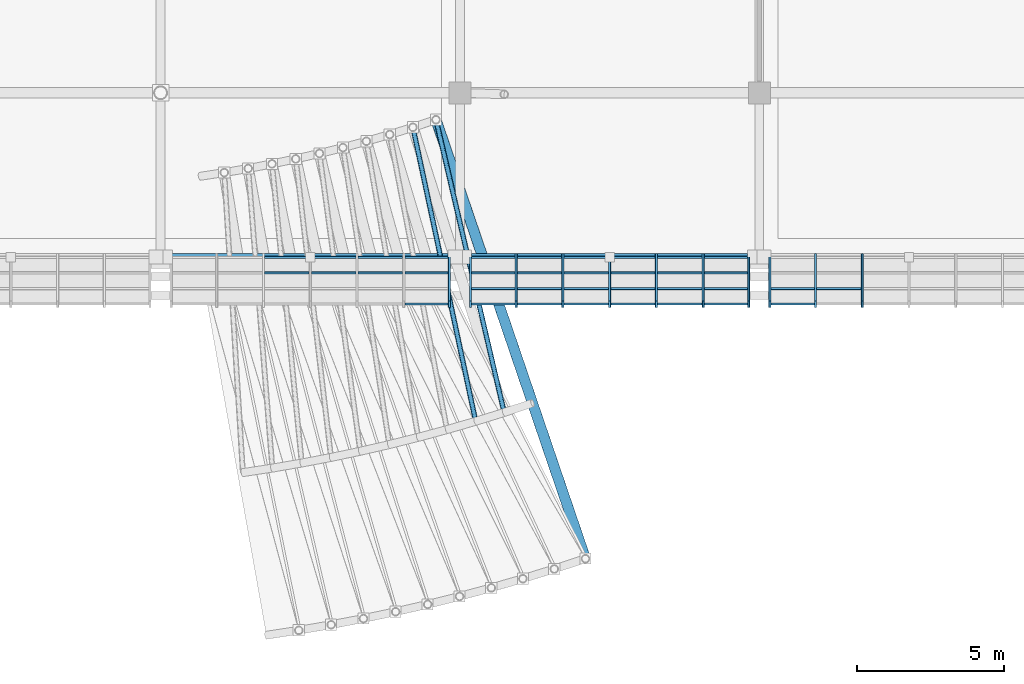
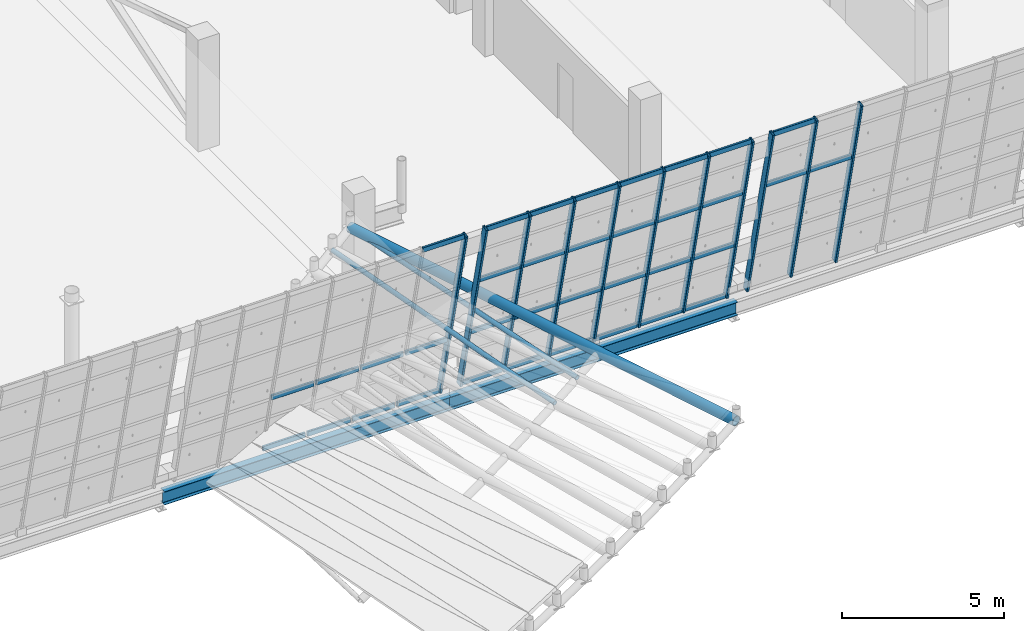
# One storey, part 50 of 157: 50 members, 2 beams, 3 elements without a shape of their own.
"""IFC4 building model written with IfcOpenShell, lengths in metres."""

from ifc_helpers import new_model, si_unit, direction, frame, origin, origin_2d, place, context, subcontext, project, spatial, hollow_rectangle, hollow_circle, i_section, extrude, material, material_profile, profile_set, type_object, element, aggregate, save


model = new_model("IFC4")

# Units and contexts
model_context = context("Model", 3, precision=1e-05, world=origin(), true_north=direction((0.0, 1.0)))
body_context = subcontext(model_context, "Body", "Model", "MODEL_VIEW")
ifc_project = project(units=[si_unit("LENGTHUNIT", "METRE"), si_unit("AREAUNIT", "SQUARE_METRE"), si_unit("VOLUMEUNIT", "CUBIC_METRE"), si_unit("PLANEANGLEUNIT", "RADIAN"), si_unit("MASSUNIT", "GRAM", prefix="KILO")], contexts=[model_context])

# Site, building, storey
site_placement = place(None, origin())
site = spatial("IfcSite", under=ifc_project, at=site_placement, CompositionType="ELEMENT")
building_placement = place(site_placement, origin())
building = spatial("IfcBuilding", under=site, at=building_placement, Name="Brelvane Convention Centre", CompositionType="ELEMENT")
storey_placement = place(building_placement, frame((0.0, 0.0, 10.800048828125)))
storey = spatial("IfcBuildingStorey", under=building, at=storey_placement, Name="L02", CompositionType="ELEMENT", Elevation=10.800048828125)

# Curtain wall, member
ifc_material_1 = material(Name="Anodised Aluminium Alloy 6063-T6", Category="aluminium")
curtain_wall_type = type_object("IfcCurtainWallType", Name="Curtain Wall CW-HULL-S", PredefinedType="USERDEFINED", material=ifc_material_1)
curtain_wall_1_placement = place(storey_placement, origin())
curtain_wall_1 = element("IfcCurtainWall", 1, at=curtain_wall_1_placement, inside=storey, type_object=curtain_wall_type, Name="Curtain Wall CW-HULL-S L02-HULL-S-L02-16", ObjectType="UNITISED", PredefinedType="USERDEFINED")
ifc_material_2 = material(Name="Anodised Aluminium Alloy 6063-T6", Category="aluminium")
ifc_material_profile_1 = material_profile(ifc_material_2, hollow_rectangle(XDim=0.080078125, YDim=0.239990234375, WallThickness=0.006103515625, InnerFilletRadius=0.006103515625, OuterFilletRadius=0.011962890625, at=origin_2d()), Name="ALU-M 240x80x6.0")
ifc_profile_set_1 = profile_set([ifc_material_profile_1], Name="Anodised Aluminium Alloy 6063-T6")
member_type_1 = type_object("IfcMemberType", Name="Curtain Mullion CW-M1", PredefinedType="MULLION", material=ifc_profile_set_1)
member_1_placement = place(storey_placement, frame((162.840087890625, 13.60009765625, 0.0), z_axis=(0.0, -0.228360410362, 0.973576665178), x_axis=(1.0, 0.0, 0.0)))
member_1 = element("IfcMember", 2, at=member_1_placement, type_object=member_type_1, Name="CW-HULL-S mullion 7", PredefinedType="MULLION", context=body_context, shape_type="SweptSolid", body=[
    extrude(hollow_rectangle(XDim=0.080078125, YDim=0.239990234375, WallThickness=0.006103515625, InnerFilletRadius=0.006103515625, OuterFilletRadius=0.011962890625, at=origin_2d()), origin(), (0.0, 0.0, 1.0), 7.03564453125),
])

# Curtain wall, members
curtain_wall_2_placement = place(storey_placement, origin())
curtain_wall_2 = element("IfcCurtainWall", 3, at=curtain_wall_2_placement, inside=storey, type_object=curtain_wall_type, Name="Curtain Wall CW-HULL-S L02-HULL-S-L02-17", ObjectType="UNITISED", PredefinedType="USERDEFINED")
member_2_placement = place(storey_placement, frame((163.56005859375, 13.60009765625, 0.0), z_axis=(0.0, -0.228360410362, 0.973576665178), x_axis=(1.0, 0.0, 0.0)))
member_2 = element("IfcMember", 4, at=member_2_placement, type_object=member_type_1, Name="CW-HULL-S mullion 1", PredefinedType="MULLION", context=body_context, shape_type="SweptSolid", body=[
    extrude(hollow_rectangle(XDim=0.080078125, YDim=0.239990234375, WallThickness=0.006103515625, InnerFilletRadius=0.006103515625, OuterFilletRadius=0.011962890625, at=origin_2d()), origin(), (0.0, 0.0, 1.0), 7.03564453125),
])
member_3_placement = place(storey_placement, frame((165.11328125, 13.60009765625, 0.0), z_axis=(0.0, -0.228360410362, 0.973576665178), x_axis=(1.0, 0.0, 0.0)))
member_3 = element("IfcMember", 5, at=member_3_placement, type_object=member_type_1, Name="CW-HULL-S mullion 2", PredefinedType="MULLION", context=body_context, shape_type="SweptSolid", body=[
    extrude(hollow_rectangle(XDim=0.080078125, YDim=0.239990234375, WallThickness=0.006103515625, InnerFilletRadius=0.006103515625, OuterFilletRadius=0.011962890625, at=origin_2d()), origin(), (0.0, 0.0, 1.0), 7.03564453125),
])
member_4_placement = place(storey_placement, frame((166.706787109375, 13.60009765625, 0.0), z_axis=(0.0, -0.228360410362, 0.973576665178), x_axis=(1.0, 0.0, 0.0)))
member_4 = element("IfcMember", 6, at=member_4_placement, type_object=member_type_1, Name="CW-HULL-S mullion 3", PredefinedType="MULLION", context=body_context, shape_type="SweptSolid", body=[
    extrude(hollow_rectangle(XDim=0.080078125, YDim=0.239990234375, WallThickness=0.006103515625, InnerFilletRadius=0.006103515625, OuterFilletRadius=0.011962890625, at=origin_2d()), origin(), (0.0, 0.0, 1.0), 7.03564453125),
])
member_5_placement = place(storey_placement, frame((168.300048828125, 13.60009765625, 0.0), z_axis=(0.0, -0.228360410362, 0.973576665178), x_axis=(1.0, 0.0, 0.0)))
member_5 = element("IfcMember", 7, at=member_5_placement, type_object=member_type_1, Name="CW-HULL-S mullion 4", PredefinedType="MULLION", context=body_context, shape_type="SweptSolid", body=[
    extrude(hollow_rectangle(XDim=0.080078125, YDim=0.239990234375, WallThickness=0.006103515625, InnerFilletRadius=0.006103515625, OuterFilletRadius=0.011962890625, at=origin_2d()), origin(), (0.0, 0.0, 1.0), 7.03564453125),
])
member_6_placement = place(storey_placement, frame((169.893310546875, 13.60009765625, 0.0), z_axis=(0.0, -0.228360410362, 0.973576665178), x_axis=(1.0, 0.0, 0.0)))
member_6 = element("IfcMember", 8, at=member_6_placement, type_object=member_type_1, Name="CW-HULL-S mullion 5", PredefinedType="MULLION", context=body_context, shape_type="SweptSolid", body=[
    extrude(hollow_rectangle(XDim=0.080078125, YDim=0.239990234375, WallThickness=0.006103515625, InnerFilletRadius=0.006103515625, OuterFilletRadius=0.011962890625, at=origin_2d()), origin(), (0.0, 0.0, 1.0), 7.03564453125),
])
member_7_placement = place(storey_placement, frame((171.486572265625, 13.60009765625, 0.0), z_axis=(0.0, -0.228360410362, 0.973576665178), x_axis=(1.0, 0.0, 0.0)))
member_7 = element("IfcMember", 9, at=member_7_placement, type_object=member_type_1, Name="CW-HULL-S mullion 6", PredefinedType="MULLION", context=body_context, shape_type="SweptSolid", body=[
    extrude(hollow_rectangle(XDim=0.080078125, YDim=0.239990234375, WallThickness=0.006103515625, InnerFilletRadius=0.006103515625, OuterFilletRadius=0.011962890625, at=origin_2d()), origin(), (0.0, 0.0, 1.0), 7.03564453125),
])
member_8_placement = place(storey_placement, frame((173.0400390625, 13.60009765625, 0.0), z_axis=(0.0, -0.228360410362, 0.973576665178), x_axis=(1.0, 0.0, 0.0)))
member_8 = element("IfcMember", 10, at=member_8_placement, type_object=member_type_1, Name="CW-HULL-S mullion 7", PredefinedType="MULLION", context=body_context, shape_type="SweptSolid", body=[
    extrude(hollow_rectangle(XDim=0.080078125, YDim=0.239990234375, WallThickness=0.006103515625, InnerFilletRadius=0.006103515625, OuterFilletRadius=0.011962890625, at=origin_2d()), origin(), (0.0, 0.0, 1.0), 7.03564453125),
])

curtain_wall_3_placement = place(storey_placement, origin())
curtain_wall_3 = element("IfcCurtainWall", 11, at=curtain_wall_3_placement, inside=storey, type_object=curtain_wall_type, Name="Curtain Wall CW-HULL-S L02-HULL-S-L02-18", ObjectType="UNITISED", PredefinedType="USERDEFINED")
member_9_placement = place(storey_placement, frame((173.760009765625, 13.60009765625, 0.0), z_axis=(0.0, -0.228360410362, 0.973576665178), x_axis=(1.0, 0.0, 0.0)))
member_9 = element("IfcMember", 12, at=member_9_placement, type_object=member_type_1, Name="CW-HULL-S mullion 1", PredefinedType="MULLION", context=body_context, shape_type="SweptSolid", body=[
    extrude(hollow_rectangle(XDim=0.080078125, YDim=0.239990234375, WallThickness=0.006103515625, InnerFilletRadius=0.006103515625, OuterFilletRadius=0.011962890625, at=origin_2d()), origin(), (0.0, 0.0, 1.0), 7.03564453125),
])
member_10_placement = place(storey_placement, frame((175.313232421875, 13.60009765625, 0.0), z_axis=(0.0, -0.228360410362, 0.973576665178), x_axis=(1.0, 0.0, 0.0)))
member_10 = element("IfcMember", 13, at=member_10_placement, type_object=member_type_1, Name="CW-HULL-S mullion 2", PredefinedType="MULLION", context=body_context, shape_type="SweptSolid", body=[
    extrude(hollow_rectangle(XDim=0.080078125, YDim=0.239990234375, WallThickness=0.006103515625, InnerFilletRadius=0.006103515625, OuterFilletRadius=0.011962890625, at=origin_2d()), origin(), (0.0, 0.0, 1.0), 7.03564453125),
])
member_11_placement = place(storey_placement, frame((176.90673828125, 13.60009765625, 0.0), z_axis=(0.0, -0.228360410362, 0.973576665178), x_axis=(1.0, 0.0, 0.0)))
member_11 = element("IfcMember", 14, at=member_11_placement, type_object=member_type_1, Name="CW-HULL-S mullion 3", PredefinedType="MULLION", context=body_context, shape_type="SweptSolid", body=[
    extrude(hollow_rectangle(XDim=0.080078125, YDim=0.239990234375, WallThickness=0.006103515625, InnerFilletRadius=0.006103515625, OuterFilletRadius=0.011962890625, at=origin_2d()), origin(), (0.0, 0.0, 1.0), 7.03564453125),
])

# Member
ifc_material_3 = material(Name="Anodised Aluminium Alloy 6063-T6", Category="aluminium")
ifc_material_profile_2 = material_profile(ifc_material_3, hollow_rectangle(XDim=0.080078125, YDim=0.179931640625, WallThickness=0.0048828125, InnerFilletRadius=0.0048828125, OuterFilletRadius=0.010009765625, at=origin_2d()), Name="ALU-T 180x80x5.0")
ifc_profile_set_2 = profile_set([ifc_material_profile_2], Name="Anodised Aluminium Alloy 6063-T6")
member_type_2 = type_object("IfcMemberType", Name="Curtain Transom CW-T1", PredefinedType="USERDEFINED", material=ifc_profile_set_2)
member_12_placement = place(storey_placement, frame((156.546630859375, 13.590576171875, 0.0400390625), z_axis=(1.0, 0.0, 0.0), x_axis=(0.0, 1.0, 0.0)))
member_12 = element("IfcMember", 15, at=member_12_placement, type_object=member_type_2, Name="CW-HULL-S transom 3.1", ObjectType="TRANSOM", PredefinedType="USERDEFINED", context=body_context, shape_type="SweptSolid", body=[
    extrude(hollow_rectangle(XDim=0.080078125, YDim=0.179931640625, WallThickness=0.0048828125, InnerFilletRadius=0.0048828125, OuterFilletRadius=0.010009765625, at=origin_2d()), origin(), (0.0, 0.0, 1.0), 1.513427734375),
])

member_13_placement = place(storey_placement, frame((156.546630859375, 13.064453125, 2.283203125), z_axis=(1.0, 0.0, 0.0), x_axis=(0.0, 1.0, 0.0)))
member_13 = element("IfcMember", 16, at=member_13_placement, type_object=member_type_2, Name="CW-HULL-S transom 3.2", ObjectType="TRANSOM", PredefinedType="USERDEFINED", context=body_context, shape_type="SweptSolid", body=[
    extrude(hollow_rectangle(XDim=0.080078125, YDim=0.179931640625, WallThickness=0.0048828125, InnerFilletRadius=0.0048828125, OuterFilletRadius=0.010009765625, at=origin_2d()), origin(), (0.0, 0.0, 1.0), 1.513427734375),
])

member_14_placement = place(storey_placement, frame((158.139892578125, 13.590576171875, 0.0400390625), z_axis=(1.0, 0.0, 0.0), x_axis=(0.0, 1.0, 0.0)))
member_14 = element("IfcMember", 17, at=member_14_placement, type_object=member_type_2, Name="CW-HULL-S transom 4.1", ObjectType="TRANSOM", PredefinedType="USERDEFINED", context=body_context, shape_type="SweptSolid", body=[
    extrude(hollow_rectangle(XDim=0.080078125, YDim=0.179931640625, WallThickness=0.0048828125, InnerFilletRadius=0.0048828125, OuterFilletRadius=0.010009765625, at=origin_2d()), origin(), (0.0, 0.0, 1.0), 1.513427734375),
])

member_15_placement = place(storey_placement, frame((158.139892578125, 13.064453125, 2.283203125), z_axis=(1.0, 0.0, 0.0), x_axis=(0.0, 1.0, 0.0)))
member_15 = element("IfcMember", 18, at=member_15_placement, type_object=member_type_2, Name="CW-HULL-S transom 4.2", ObjectType="TRANSOM", PredefinedType="USERDEFINED", context=body_context, shape_type="SweptSolid", body=[
    extrude(hollow_rectangle(XDim=0.080078125, YDim=0.179931640625, WallThickness=0.0048828125, InnerFilletRadius=0.0048828125, OuterFilletRadius=0.010009765625, at=origin_2d()), origin(), (0.0, 0.0, 1.0), 1.513427734375),
])

member_16_placement = place(storey_placement, frame((159.7333984375, 13.590576171875, 0.0400390625), z_axis=(1.0, 0.0, 0.0), x_axis=(0.0, 1.0, 0.0)))
member_16 = element("IfcMember", 19, at=member_16_placement, type_object=member_type_2, Name="CW-HULL-S transom 5.1", ObjectType="TRANSOM", PredefinedType="USERDEFINED", context=body_context, shape_type="SweptSolid", body=[
    extrude(hollow_rectangle(XDim=0.080078125, YDim=0.179931640625, WallThickness=0.0048828125, InnerFilletRadius=0.0048828125, OuterFilletRadius=0.010009765625, at=origin_2d()), origin(), (0.0, 0.0, 1.0), 1.51318359375),
])

member_17_placement = place(storey_placement, frame((159.7333984375, 13.064453125, 2.283203125), z_axis=(1.0, 0.0, 0.0), x_axis=(0.0, 1.0, 0.0)))
member_17 = element("IfcMember", 20, at=member_17_placement, type_object=member_type_2, Name="CW-HULL-S transom 5.2", ObjectType="TRANSOM", PredefinedType="USERDEFINED", context=body_context, shape_type="SweptSolid", body=[
    extrude(hollow_rectangle(XDim=0.080078125, YDim=0.179931640625, WallThickness=0.0048828125, InnerFilletRadius=0.0048828125, OuterFilletRadius=0.010009765625, at=origin_2d()), origin(), (0.0, 0.0, 1.0), 1.51318359375),
])

member_18_placement = place(storey_placement, frame((161.32666015625, 13.590576171875, 0.0400390625), z_axis=(1.0, 0.0, 0.0), x_axis=(0.0, 1.0, 0.0)))
member_18 = element("IfcMember", 21, at=member_18_placement, type_object=member_type_2, Name="CW-HULL-S transom 6.1", ObjectType="TRANSOM", PredefinedType="USERDEFINED", context=body_context, shape_type="SweptSolid", body=[
    extrude(hollow_rectangle(XDim=0.080078125, YDim=0.179931640625, WallThickness=0.0048828125, InnerFilletRadius=0.0048828125, OuterFilletRadius=0.010009765625, at=origin_2d()), origin(), (0.0, 0.0, 1.0), 1.473388671875),
])

member_19_placement = place(storey_placement, frame((161.32666015625, 13.064453125, 2.283203125), z_axis=(1.0, 0.0, 0.0), x_axis=(0.0, 1.0, 0.0)))
member_19 = element("IfcMember", 22, at=member_19_placement, type_object=member_type_2, Name="CW-HULL-S transom 6.2", ObjectType="TRANSOM", PredefinedType="USERDEFINED", context=body_context, shape_type="SweptSolid", body=[
    extrude(hollow_rectangle(XDim=0.080078125, YDim=0.179931640625, WallThickness=0.0048828125, InnerFilletRadius=0.0048828125, OuterFilletRadius=0.010009765625, at=origin_2d()), origin(), (0.0, 0.0, 1.0), 1.473388671875),
])

member_20_placement = place(storey_placement, frame((161.32666015625, 12.002685546875, 6.81005859375), z_axis=(1.0, 0.0, 0.0), x_axis=(0.0, 1.0, 0.0)))
member_20 = element("IfcMember", 23, at=member_20_placement, type_object=member_type_2, Name="CW-HULL-S transom 6.4", ObjectType="TRANSOM", PredefinedType="USERDEFINED", context=body_context, shape_type="SweptSolid", body=[
    extrude(hollow_rectangle(XDim=0.080078125, YDim=0.179931640625, WallThickness=0.0048828125, InnerFilletRadius=0.0048828125, OuterFilletRadius=0.010009765625, at=origin_2d()), origin(), (0.0, 0.0, 1.0), 1.473388671875),
])

aggregate(curtain_wall_1, [member_1, member_12, member_13, member_14, member_15, member_16, member_17, member_18, member_19, member_20])

member_21_placement = place(storey_placement, frame((163.60009765625, 13.590576171875, 0.0400390625), z_axis=(1.0, 0.0, 0.0), x_axis=(0.0, 1.0, 0.0)))
member_21 = element("IfcMember", 24, at=member_21_placement, type_object=member_type_2, Name="CW-HULL-S transom 1.1", ObjectType="TRANSOM", PredefinedType="USERDEFINED", context=body_context, shape_type="SweptSolid", body=[
    extrude(hollow_rectangle(XDim=0.080078125, YDim=0.179931640625, WallThickness=0.0048828125, InnerFilletRadius=0.0048828125, OuterFilletRadius=0.010009765625, at=origin_2d()), origin(), (0.0, 0.0, 1.0), 1.47314453125),
])

member_22_placement = place(storey_placement, frame((163.60009765625, 13.064453125, 2.283203125), z_axis=(1.0, 0.0, 0.0), x_axis=(0.0, 1.0, 0.0)))
member_22 = element("IfcMember", 25, at=member_22_placement, type_object=member_type_2, Name="CW-HULL-S transom 1.2", ObjectType="TRANSOM", PredefinedType="USERDEFINED", context=body_context, shape_type="SweptSolid", body=[
    extrude(hollow_rectangle(XDim=0.080078125, YDim=0.179931640625, WallThickness=0.0048828125, InnerFilletRadius=0.0048828125, OuterFilletRadius=0.010009765625, at=origin_2d()), origin(), (0.0, 0.0, 1.0), 1.47314453125),
])

member_23_placement = place(storey_placement, frame((163.60009765625, 12.52880859375, 4.566650390625), z_axis=(1.0, 0.0, 0.0), x_axis=(0.0, 1.0, 0.0)))
member_23 = element("IfcMember", 26, at=member_23_placement, type_object=member_type_2, Name="CW-HULL-S transom 1.3", ObjectType="TRANSOM", PredefinedType="USERDEFINED", context=body_context, shape_type="SweptSolid", body=[
    extrude(hollow_rectangle(XDim=0.080078125, YDim=0.179931640625, WallThickness=0.0048828125, InnerFilletRadius=0.0048828125, OuterFilletRadius=0.010009765625, at=origin_2d()), origin(), (0.0, 0.0, 1.0), 1.47314453125),
])

member_24_placement = place(storey_placement, frame((163.60009765625, 12.002685546875, 6.81005859375), z_axis=(1.0, 0.0, 0.0), x_axis=(0.0, 1.0, 0.0)))
member_24 = element("IfcMember", 27, at=member_24_placement, type_object=member_type_2, Name="CW-HULL-S transom 1.4", ObjectType="TRANSOM", PredefinedType="USERDEFINED", context=body_context, shape_type="SweptSolid", body=[
    extrude(hollow_rectangle(XDim=0.080078125, YDim=0.179931640625, WallThickness=0.0048828125, InnerFilletRadius=0.0048828125, OuterFilletRadius=0.010009765625, at=origin_2d()), origin(), (0.0, 0.0, 1.0), 1.47314453125),
])

member_25_placement = place(storey_placement, frame((165.1533203125, 13.590576171875, 0.0400390625), z_axis=(1.0, 0.0, 0.0), x_axis=(0.0, 1.0, 0.0)))
member_25 = element("IfcMember", 28, at=member_25_placement, type_object=member_type_2, Name="CW-HULL-S transom 2.1", ObjectType="TRANSOM", PredefinedType="USERDEFINED", context=body_context, shape_type="SweptSolid", body=[
    extrude(hollow_rectangle(XDim=0.080078125, YDim=0.179931640625, WallThickness=0.0048828125, InnerFilletRadius=0.0048828125, OuterFilletRadius=0.010009765625, at=origin_2d()), origin(), (0.0, 0.0, 1.0), 1.513427734375),
])

member_26_placement = place(storey_placement, frame((165.1533203125, 13.064453125, 2.283203125), z_axis=(1.0, 0.0, 0.0), x_axis=(0.0, 1.0, 0.0)))
member_26 = element("IfcMember", 29, at=member_26_placement, type_object=member_type_2, Name="CW-HULL-S transom 2.2", ObjectType="TRANSOM", PredefinedType="USERDEFINED", context=body_context, shape_type="SweptSolid", body=[
    extrude(hollow_rectangle(XDim=0.080078125, YDim=0.179931640625, WallThickness=0.0048828125, InnerFilletRadius=0.0048828125, OuterFilletRadius=0.010009765625, at=origin_2d()), origin(), (0.0, 0.0, 1.0), 1.513427734375),
])

member_27_placement = place(storey_placement, frame((165.1533203125, 12.52880859375, 4.566650390625), z_axis=(1.0, 0.0, 0.0), x_axis=(0.0, 1.0, 0.0)))
member_27 = element("IfcMember", 30, at=member_27_placement, type_object=member_type_2, Name="CW-HULL-S transom 2.3", ObjectType="TRANSOM", PredefinedType="USERDEFINED", context=body_context, shape_type="SweptSolid", body=[
    extrude(hollow_rectangle(XDim=0.080078125, YDim=0.179931640625, WallThickness=0.0048828125, InnerFilletRadius=0.0048828125, OuterFilletRadius=0.010009765625, at=origin_2d()), origin(), (0.0, 0.0, 1.0), 1.513427734375),
])

member_28_placement = place(storey_placement, frame((165.1533203125, 12.002685546875, 6.81005859375), z_axis=(1.0, 0.0, 0.0), x_axis=(0.0, 1.0, 0.0)))
member_28 = element("IfcMember", 31, at=member_28_placement, type_object=member_type_2, Name="CW-HULL-S transom 2.4", ObjectType="TRANSOM", PredefinedType="USERDEFINED", context=body_context, shape_type="SweptSolid", body=[
    extrude(hollow_rectangle(XDim=0.080078125, YDim=0.179931640625, WallThickness=0.0048828125, InnerFilletRadius=0.0048828125, OuterFilletRadius=0.010009765625, at=origin_2d()), origin(), (0.0, 0.0, 1.0), 1.513427734375),
])

member_29_placement = place(storey_placement, frame((166.74658203125, 13.590576171875, 0.0400390625), z_axis=(1.0, 0.0, 0.0), x_axis=(0.0, 1.0, 0.0)))
member_29 = element("IfcMember", 32, at=member_29_placement, type_object=member_type_2, Name="CW-HULL-S transom 3.1", ObjectType="TRANSOM", PredefinedType="USERDEFINED", context=body_context, shape_type="SweptSolid", body=[
    extrude(hollow_rectangle(XDim=0.080078125, YDim=0.179931640625, WallThickness=0.0048828125, InnerFilletRadius=0.0048828125, OuterFilletRadius=0.010009765625, at=origin_2d()), origin(), (0.0, 0.0, 1.0), 1.513427734375),
])

member_30_placement = place(storey_placement, frame((166.74658203125, 13.064453125, 2.283203125), z_axis=(1.0, 0.0, 0.0), x_axis=(0.0, 1.0, 0.0)))
member_30 = element("IfcMember", 33, at=member_30_placement, type_object=member_type_2, Name="CW-HULL-S transom 3.2", ObjectType="TRANSOM", PredefinedType="USERDEFINED", context=body_context, shape_type="SweptSolid", body=[
    extrude(hollow_rectangle(XDim=0.080078125, YDim=0.179931640625, WallThickness=0.0048828125, InnerFilletRadius=0.0048828125, OuterFilletRadius=0.010009765625, at=origin_2d()), origin(), (0.0, 0.0, 1.0), 1.513427734375),
])

member_31_placement = place(storey_placement, frame((166.74658203125, 12.52880859375, 4.566650390625), z_axis=(1.0, 0.0, 0.0), x_axis=(0.0, 1.0, 0.0)))
member_31 = element("IfcMember", 34, at=member_31_placement, type_object=member_type_2, Name="CW-HULL-S transom 3.3", ObjectType="TRANSOM", PredefinedType="USERDEFINED", context=body_context, shape_type="SweptSolid", body=[
    extrude(hollow_rectangle(XDim=0.080078125, YDim=0.179931640625, WallThickness=0.0048828125, InnerFilletRadius=0.0048828125, OuterFilletRadius=0.010009765625, at=origin_2d()), origin(), (0.0, 0.0, 1.0), 1.513427734375),
])

member_32_placement = place(storey_placement, frame((166.74658203125, 12.002685546875, 6.81005859375), z_axis=(1.0, 0.0, 0.0), x_axis=(0.0, 1.0, 0.0)))
member_32 = element("IfcMember", 35, at=member_32_placement, type_object=member_type_2, Name="CW-HULL-S transom 3.4", ObjectType="TRANSOM", PredefinedType="USERDEFINED", context=body_context, shape_type="SweptSolid", body=[
    extrude(hollow_rectangle(XDim=0.080078125, YDim=0.179931640625, WallThickness=0.0048828125, InnerFilletRadius=0.0048828125, OuterFilletRadius=0.010009765625, at=origin_2d()), origin(), (0.0, 0.0, 1.0), 1.513427734375),
])

member_33_placement = place(storey_placement, frame((168.340087890625, 13.590576171875, 0.0400390625), z_axis=(1.0, 0.0, 0.0), x_axis=(0.0, 1.0, 0.0)))
member_33 = element("IfcMember", 36, at=member_33_placement, type_object=member_type_2, Name="CW-HULL-S transom 4.1", ObjectType="TRANSOM", PredefinedType="USERDEFINED", context=body_context, shape_type="SweptSolid", body=[
    extrude(hollow_rectangle(XDim=0.080078125, YDim=0.179931640625, WallThickness=0.0048828125, InnerFilletRadius=0.0048828125, OuterFilletRadius=0.010009765625, at=origin_2d()), origin(), (0.0, 0.0, 1.0), 1.51318359375),
])

member_34_placement = place(storey_placement, frame((168.340087890625, 13.064453125, 2.283203125), z_axis=(1.0, 0.0, 0.0), x_axis=(0.0, 1.0, 0.0)))
member_34 = element("IfcMember", 37, at=member_34_placement, type_object=member_type_2, Name="CW-HULL-S transom 4.2", ObjectType="TRANSOM", PredefinedType="USERDEFINED", context=body_context, shape_type="SweptSolid", body=[
    extrude(hollow_rectangle(XDim=0.080078125, YDim=0.179931640625, WallThickness=0.0048828125, InnerFilletRadius=0.0048828125, OuterFilletRadius=0.010009765625, at=origin_2d()), origin(), (0.0, 0.0, 1.0), 1.51318359375),
])

member_35_placement = place(storey_placement, frame((168.340087890625, 12.52880859375, 4.566650390625), z_axis=(1.0, 0.0, 0.0), x_axis=(0.0, 1.0, 0.0)))
member_35 = element("IfcMember", 38, at=member_35_placement, type_object=member_type_2, Name="CW-HULL-S transom 4.3", ObjectType="TRANSOM", PredefinedType="USERDEFINED", context=body_context, shape_type="SweptSolid", body=[
    extrude(hollow_rectangle(XDim=0.080078125, YDim=0.179931640625, WallThickness=0.0048828125, InnerFilletRadius=0.0048828125, OuterFilletRadius=0.010009765625, at=origin_2d()), origin(), (0.0, 0.0, 1.0), 1.51318359375),
])

member_36_placement = place(storey_placement, frame((168.340087890625, 12.002685546875, 6.81005859375), z_axis=(1.0, 0.0, 0.0), x_axis=(0.0, 1.0, 0.0)))
member_36 = element("IfcMember", 39, at=member_36_placement, type_object=member_type_2, Name="CW-HULL-S transom 4.4", ObjectType="TRANSOM", PredefinedType="USERDEFINED", context=body_context, shape_type="SweptSolid", body=[
    extrude(hollow_rectangle(XDim=0.080078125, YDim=0.179931640625, WallThickness=0.0048828125, InnerFilletRadius=0.0048828125, OuterFilletRadius=0.010009765625, at=origin_2d()), origin(), (0.0, 0.0, 1.0), 1.51318359375),
])

member_37_placement = place(storey_placement, frame((169.933349609375, 13.590576171875, 0.0400390625), z_axis=(1.0, 0.0, 0.0), x_axis=(0.0, 1.0, 0.0)))
member_37 = element("IfcMember", 40, at=member_37_placement, type_object=member_type_2, Name="CW-HULL-S transom 5.1", ObjectType="TRANSOM", PredefinedType="USERDEFINED", context=body_context, shape_type="SweptSolid", body=[
    extrude(hollow_rectangle(XDim=0.080078125, YDim=0.179931640625, WallThickness=0.0048828125, InnerFilletRadius=0.0048828125, OuterFilletRadius=0.010009765625, at=origin_2d()), origin(), (0.0, 0.0, 1.0), 1.513427734375),
])

member_38_placement = place(storey_placement, frame((169.933349609375, 13.064453125, 2.283203125), z_axis=(1.0, 0.0, 0.0), x_axis=(0.0, 1.0, 0.0)))
member_38 = element("IfcMember", 41, at=member_38_placement, type_object=member_type_2, Name="CW-HULL-S transom 5.2", ObjectType="TRANSOM", PredefinedType="USERDEFINED", context=body_context, shape_type="SweptSolid", body=[
    extrude(hollow_rectangle(XDim=0.080078125, YDim=0.179931640625, WallThickness=0.0048828125, InnerFilletRadius=0.0048828125, OuterFilletRadius=0.010009765625, at=origin_2d()), origin(), (0.0, 0.0, 1.0), 1.513427734375),
])

member_39_placement = place(storey_placement, frame((169.933349609375, 12.52880859375, 4.566650390625), z_axis=(1.0, 0.0, 0.0), x_axis=(0.0, 1.0, 0.0)))
member_39 = element("IfcMember", 42, at=member_39_placement, type_object=member_type_2, Name="CW-HULL-S transom 5.3", ObjectType="TRANSOM", PredefinedType="USERDEFINED", context=body_context, shape_type="SweptSolid", body=[
    extrude(hollow_rectangle(XDim=0.080078125, YDim=0.179931640625, WallThickness=0.0048828125, InnerFilletRadius=0.0048828125, OuterFilletRadius=0.010009765625, at=origin_2d()), origin(), (0.0, 0.0, 1.0), 1.513427734375),
])

member_40_placement = place(storey_placement, frame((169.933349609375, 12.002685546875, 6.81005859375), z_axis=(1.0, 0.0, 0.0), x_axis=(0.0, 1.0, 0.0)))
member_40 = element("IfcMember", 43, at=member_40_placement, type_object=member_type_2, Name="CW-HULL-S transom 5.4", ObjectType="TRANSOM", PredefinedType="USERDEFINED", context=body_context, shape_type="SweptSolid", body=[
    extrude(hollow_rectangle(XDim=0.080078125, YDim=0.179931640625, WallThickness=0.0048828125, InnerFilletRadius=0.0048828125, OuterFilletRadius=0.010009765625, at=origin_2d()), origin(), (0.0, 0.0, 1.0), 1.513427734375),
])

member_41_placement = place(storey_placement, frame((171.526611328125, 13.590576171875, 0.0400390625), z_axis=(1.0, 0.0, 0.0), x_axis=(0.0, 1.0, 0.0)))
member_41 = element("IfcMember", 44, at=member_41_placement, type_object=member_type_2, Name="CW-HULL-S transom 6.1", ObjectType="TRANSOM", PredefinedType="USERDEFINED", context=body_context, shape_type="SweptSolid", body=[
    extrude(hollow_rectangle(XDim=0.080078125, YDim=0.179931640625, WallThickness=0.0048828125, InnerFilletRadius=0.0048828125, OuterFilletRadius=0.010009765625, at=origin_2d()), origin(), (0.0, 0.0, 1.0), 1.473388671875),
])

member_42_placement = place(storey_placement, frame((171.526611328125, 13.064453125, 2.283203125), z_axis=(1.0, 0.0, 0.0), x_axis=(0.0, 1.0, 0.0)))
member_42 = element("IfcMember", 45, at=member_42_placement, type_object=member_type_2, Name="CW-HULL-S transom 6.2", ObjectType="TRANSOM", PredefinedType="USERDEFINED", context=body_context, shape_type="SweptSolid", body=[
    extrude(hollow_rectangle(XDim=0.080078125, YDim=0.179931640625, WallThickness=0.0048828125, InnerFilletRadius=0.0048828125, OuterFilletRadius=0.010009765625, at=origin_2d()), origin(), (0.0, 0.0, 1.0), 1.473388671875),
])

member_43_placement = place(storey_placement, frame((171.526611328125, 12.52880859375, 4.566650390625), z_axis=(1.0, 0.0, 0.0), x_axis=(0.0, 1.0, 0.0)))
member_43 = element("IfcMember", 46, at=member_43_placement, type_object=member_type_2, Name="CW-HULL-S transom 6.3", ObjectType="TRANSOM", PredefinedType="USERDEFINED", context=body_context, shape_type="SweptSolid", body=[
    extrude(hollow_rectangle(XDim=0.080078125, YDim=0.179931640625, WallThickness=0.0048828125, InnerFilletRadius=0.0048828125, OuterFilletRadius=0.010009765625, at=origin_2d()), origin(), (0.0, 0.0, 1.0), 1.473388671875),
])

member_44_placement = place(storey_placement, frame((171.526611328125, 12.002685546875, 6.81005859375), z_axis=(1.0, 0.0, 0.0), x_axis=(0.0, 1.0, 0.0)))
member_44 = element("IfcMember", 47, at=member_44_placement, type_object=member_type_2, Name="CW-HULL-S transom 6.4", ObjectType="TRANSOM", PredefinedType="USERDEFINED", context=body_context, shape_type="SweptSolid", body=[
    extrude(hollow_rectangle(XDim=0.080078125, YDim=0.179931640625, WallThickness=0.0048828125, InnerFilletRadius=0.0048828125, OuterFilletRadius=0.010009765625, at=origin_2d()), origin(), (0.0, 0.0, 1.0), 1.473388671875),
])

aggregate(curtain_wall_2, [member_2, member_3, member_4, member_5, member_6, member_7, member_8, member_21, member_22, member_23, member_24, member_25, member_26, member_27, member_28, member_29, member_30, member_31, member_32, member_33, member_34, member_35, member_36, member_37, member_38, member_39, member_40, member_41, member_42, member_43, member_44])

member_45_placement = place(storey_placement, frame((173.800048828125, 12.52880859375, 4.566650390625), z_axis=(1.0, 0.0, 0.0), x_axis=(0.0, 1.0, 0.0)))
member_45 = element("IfcMember", 48, at=member_45_placement, type_object=member_type_2, Name="CW-HULL-S transom 1.3", ObjectType="TRANSOM", PredefinedType="USERDEFINED", context=body_context, shape_type="SweptSolid", body=[
    extrude(hollow_rectangle(XDim=0.080078125, YDim=0.179931640625, WallThickness=0.0048828125, InnerFilletRadius=0.0048828125, OuterFilletRadius=0.010009765625, at=origin_2d()), origin(), (0.0, 0.0, 1.0), 1.473388671875),
])

member_46_placement = place(storey_placement, frame((173.800048828125, 12.002685546875, 6.81005859375), z_axis=(1.0, 0.0, 0.0), x_axis=(0.0, 1.0, 0.0)))
member_46 = element("IfcMember", 49, at=member_46_placement, type_object=member_type_2, Name="CW-HULL-S transom 1.4", ObjectType="TRANSOM", PredefinedType="USERDEFINED", context=body_context, shape_type="SweptSolid", body=[
    extrude(hollow_rectangle(XDim=0.080078125, YDim=0.179931640625, WallThickness=0.0048828125, InnerFilletRadius=0.0048828125, OuterFilletRadius=0.010009765625, at=origin_2d()), origin(), (0.0, 0.0, 1.0), 1.473388671875),
])

member_47_placement = place(storey_placement, frame((175.353271484375, 12.52880859375, 4.566650390625), z_axis=(1.0, 0.0, 0.0), x_axis=(0.0, 1.0, 0.0)))
member_47 = element("IfcMember", 50, at=member_47_placement, type_object=member_type_2, Name="CW-HULL-S transom 2.3", ObjectType="TRANSOM", PredefinedType="USERDEFINED", context=body_context, shape_type="SweptSolid", body=[
    extrude(hollow_rectangle(XDim=0.080078125, YDim=0.179931640625, WallThickness=0.0048828125, InnerFilletRadius=0.0048828125, OuterFilletRadius=0.010009765625, at=origin_2d()), origin(), (0.0, 0.0, 1.0), 1.513427734375),
])

aggregate(curtain_wall_3, [member_9, member_10, member_11, member_45, member_46, member_47])

# Members
ifc_material_4 = material(Name="Steel E350 (350 MPa)", Category="steel")
ifc_material_profile_3 = material_profile(ifc_material_4, hollow_circle(Radius=0.084228515625, WallThickness=0.008056640625, at=origin_2d()), Name="CHS 168.3x8.0")
ifc_profile_set_3 = profile_set([ifc_material_profile_3], Name="Steel E350 (350 MPa)")
member_type_3 = type_object("IfcMemberType", Name="Steel Brace SF-DG3 (CHS 168.3x8.0)", PredefinedType="BRACE", material=ifc_profile_set_3)
member_48_placement = place(storey_placement, frame((162.38232421875, 18.28271484375, 3.4765625), z_axis=(0.226750882145, -0.973075686886, -0.041324871904), x_axis=(0.973907635192, 0.226944746831, 0.0)))
element("IfcMember", 51, at=member_48_placement, inside=storey, type_object=member_type_3, Name="Boulevard Canopy Space-Frame Brace 03", PredefinedType="BRACE", context=body_context, shape_type="SweptSolid", body=[
    extrude(hollow_circle(Radius=0.084228515625, WallThickness=0.008056640625, at=origin_2d()), origin(), (0.0, 0.0, 1.0), 10.25),
])
member_49_placement = place(storey_placement, frame((161.596923828125, 18.023193359375, 3.052978515625), z_axis=(0.208671276254, -0.977094140596, -0.041753309813), x_axis=(0.977946958924, 0.208853406799, 0.0)))
element("IfcMember", 52, at=member_49_placement, inside=storey, type_object=member_type_3, Name="Boulevard Canopy Space-Frame Brace 04", PredefinedType="BRACE", context=body_context, shape_type="SweptSolid", body=[
    extrude(hollow_circle(Radius=0.084228515625, WallThickness=0.008056640625, at=origin_2d()), origin(), (0.0, 0.0, 1.0), 10.250244140625),
])
ifc_material_5 = material(Name="Steel E450 (450 MPa)", Category="steel")
ifc_material_profile_4 = material_profile(ifc_material_5, hollow_circle(Radius=0.177734375, WallThickness=0.01611328125, at=origin_2d()), Name="CHS 355.6x16.0")
ifc_profile_set_4 = profile_set([ifc_material_profile_4], Name="Steel E450 (450 MPa)")
member_type_4 = type_object("IfcMemberType", Name="Steel Rafter CN-RF1 (CHS 355.6x16.0)", PredefinedType="RAFTER", material=ifc_profile_set_4)
member_50_placement = place(storey_placement, frame((162.38232421875, 18.28271484375, 3.4765625), z_axis=(0.322465015833, -0.94658138243, 0.0), x_axis=(0.94658138243, 0.322465015833, 0.0)))
element("IfcMember", 53, at=member_50_placement, inside=storey, type_object=member_type_4, Name="Boulevard Canopy Radial Rafter R-03", PredefinedType="RAFTER", context=body_context, shape_type="SweptSolid", body=[
    extrude(hollow_circle(Radius=0.177734375, WallThickness=0.01611328125, at=origin_2d()), origin(), (0.0, 0.0, 1.0), 15.800048828125),
])

# Beams
ifc_material_6 = material(Name="Steel E350 (350 MPa)", Category="steel")
ifc_material_profile_5 = material_profile(ifc_material_6, i_section(OverallWidth=0.25, OverallDepth=0.5, WebThickness=0.010009765625, FlangeThickness=0.0146484375, FilletRadius=0.01611328125, at=origin_2d()), Name="ISWB 500")
ifc_profile_set_5 = profile_set([ifc_material_profile_5], Name="Steel E350 (350 MPa)")
beam_type = type_object("IfcBeamType", Name="Steel Spandrel SP-ST1 (ISWB 500)", PredefinedType="SPANDREL", material=ifc_profile_set_5)
for number, where, z_axis, x_axis, name in (
    (54, (153.0, 13.60009765625, -0.530029296875), (1.0, 0.0, 0.0), (0.0, 1.0, 0.0), "L02 Hull Overhang Edge Spandrel 16"),
    (55, (163.199951171875, 13.60009765625, -0.530029296875), (1.0, 0.0, 0.0), (0.0, 1.0, 0.0), "L02 Hull Overhang Edge Spandrel 17"),
):
    element("IfcBeam", number, at=place(storey_placement, frame(where, z_axis=z_axis, x_axis=x_axis)), inside=storey, type_object=beam_type, Name=name, PredefinedType="SPANDREL", context=body_context, shape_type="SweptSolid", body=[
        extrude(i_section(OverallWidth=0.25, OverallDepth=0.5, WebThickness=0.010009765625, FlangeThickness=0.0146484375, FilletRadius=0.01611328125, at=origin_2d()), origin(), (0.0, 0.0, 1.0), 10.199951171875),
    ])

save(model, "model.ifc")
